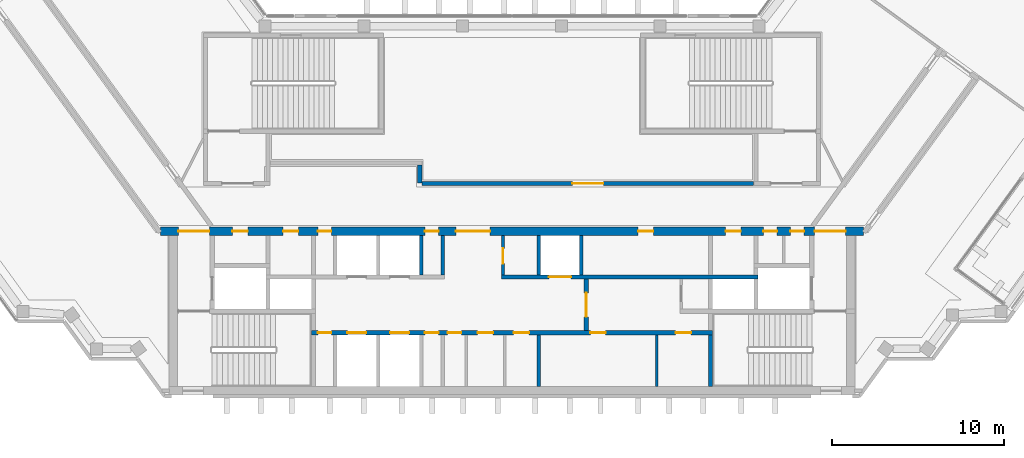
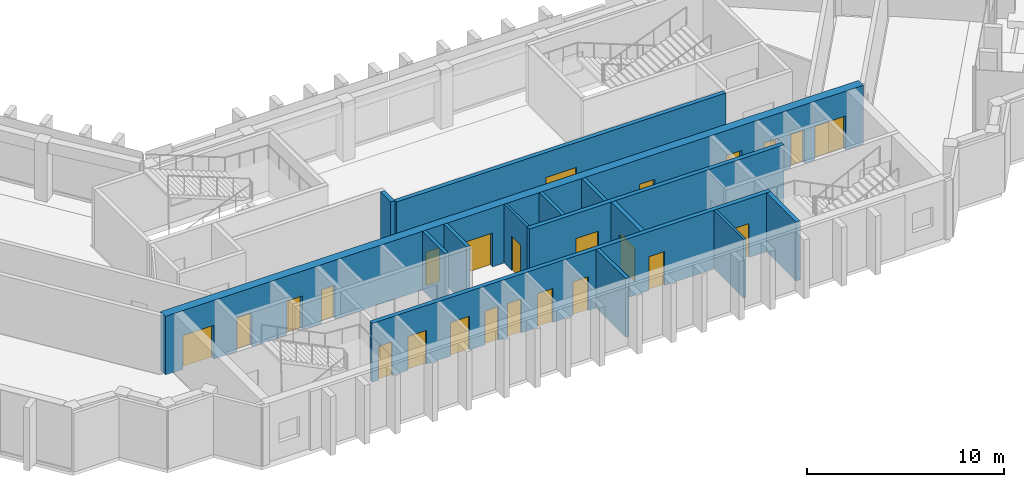
# One storey, part 5 of 9: 24 doors, 14 walls, 24 openings.
"""IFC4 building model written with IfcOpenShell, lengths in metres."""

import ifcopenshell
import ifcopenshell.guid

model = None  # the IFC model being written
_history = None  # IfcOwnerHistory: only IFC2X3 demands one
_inside = {}  # id of a spatial element -> (the spatial element, [elements in it])
_under = {}  # id of a project, library or spatial element -> (it, [spatial elements below it])
_declared = {}  # id of a project -> (the project, [libraries it declares])
_typed = {}  # id of a type object -> (the type object, [elements of that type])
_made_of = {}  # id of a material, layer set ... -> (it, [elements and type objects made of it])


def new_model(schema):
    """Start an empty IFC model of exactly this schema.

    Asked for "IFC4X3", IfcOpenShell would pick the latest addendum, in which some entities
    have other attributes; the version numbers below select the first issue.
    IFC2X3 requires an IfcOwnerHistory on every rooted entity: one is made here for all.
    """
    global model, _history
    if schema == "IFC4X3":
        model = ifcopenshell.file(schema_version=(4, 3, 0, 0))
    else:
        model = ifcopenshell.file(schema=schema)
    _inside.clear()
    _under.clear()
    _declared.clear()
    _typed.clear()
    _made_of.clear()
    _history = None
    if model.schema == "IFC2X3":
        org = make("IfcOrganization", Name="unknown")
        user = make(
            "IfcPersonAndOrganization",
            ThePerson=make("IfcPerson", FamilyName="unknown"),
            TheOrganization=org,
        )
        app = make(
            "IfcApplication",
            ApplicationDeveloper=org,
            Version="unknown",
            ApplicationFullName="unknown",
            ApplicationIdentifier="unknown",
        )
        _history = make(
            "IfcOwnerHistory",
            OwningUser=user,
            OwningApplication=app,
            ChangeAction="ADDED",
            CreationDate=0,
        )
    return model


def make(cls, **values):
    """One entity of the class cls with the attributes given. An attribute that is None is left unset."""
    return model.create_entity(
        cls, **{name: value for name, value in values.items() if value is not None}
    )


def rooted(cls, **values):
    """An entity with a GlobalId (a new one), such as an element, a storey or a relation."""
    return make(cls, GlobalId=ifcopenshell.guid.new(), OwnerHistory=_history, **values)


def si_unit(unit_type, name, prefix=None):
    """IfcSIUnit, for example si_unit("LENGTHUNIT", "METRE", prefix="MILLI")."""
    return make("IfcSIUnit", UnitType=unit_type, Prefix=prefix, Name=name)


def assignment(units):
    """IfcUnitAssignment: the units of a project."""
    return None if units is None else make("IfcUnitAssignment", Units=units)


def point(xyz):
    """IfcCartesianPoint."""
    return None if xyz is None else make("IfcCartesianPoint", Coordinates=xyz)


def direction(xyz):
    """IfcDirection."""
    return None if xyz is None else make("IfcDirection", DirectionRatios=xyz)


def frame(location, z_axis=None, x_axis=None):
    """IfcAxis2Placement3D, a coordinate frame: its origin and axes. An axis left out is left unset."""
    return make(
        "IfcAxis2Placement3D",
        Location=point(location),
        Axis=direction(z_axis),
        RefDirection=direction(x_axis),
    )


def frame_2d(location, x_axis=None):
    """IfcAxis2Placement2D, a coordinate frame in the plane: its origin and x axis."""
    return make(
        "IfcAxis2Placement2D", Location=point(location), RefDirection=direction(x_axis)
    )


def origin():
    """The frame at (0, 0, 0) with its axes left unset."""
    return frame((0.0, 0.0, 0.0))


def place(relative_to, where):
    """IfcLocalPlacement: puts the frame where relative to a parent placement (None: the world)."""
    return make(
        "IfcLocalPlacement", PlacementRelTo=relative_to, RelativePlacement=where
    )


def context(
    kind, dimensions, precision=None, world=None, true_north=None, identifier=None
):
    """IfcGeometricRepresentationContext, for example the 3D "Model" context."""
    return make(
        "IfcGeometricRepresentationContext",
        ContextIdentifier=identifier,
        ContextType=kind,
        CoordinateSpaceDimension=dimensions,
        Precision=precision,
        WorldCoordinateSystem=world,
        TrueNorth=true_north,
    )


def subcontext(parent, identifier, kind, view, scale=None):
    """IfcGeometricRepresentationSubContext, for example "Body" below "Model"."""
    return make(
        "IfcGeometricRepresentationSubContext",
        ContextIdentifier=identifier,
        ContextType=kind,
        ParentContext=parent,
        TargetScale=scale,
        TargetView=view,
    )


def project(units=None, contexts=None):
    """IfcProject with its units and contexts."""
    return rooted(
        "IfcProject",
        Name="project",
        RepresentationContexts=contexts,
        UnitsInContext=assignment(units),
    )


def spatial(cls, under=None, at=None, **own):
    """A site, building, storey or space (cls), placed at a placement, below another one or the project."""
    s = rooted(cls, ObjectPlacement=at, **own)
    if under is not None:
        _under.setdefault(under.id(), (under, []))[1].append(s)
    return s


def profile(cls, at=None, kind="AREA", **sizes):
    """A parametric profile (cls). Its sizes go by their IFC names, for example OverallWidth=200.0."""
    return make(cls, ProfileType=kind, Position=at, **sizes)


def rectangle(**sizes):
    """IfcRectangleProfileDef."""
    return profile("IfcRectangleProfileDef", **sizes)


def extrude(swept, where, along, depth):
    """IfcExtrudedAreaSolid: the profile swept, set in the frame where, extruded along a direction by depth."""
    return make(
        "IfcExtrudedAreaSolid",
        SweptArea=swept,
        Position=where,
        ExtrudedDirection=direction(along),
        Depth=depth,
    )


def shape(context_of_items, identifier, shape_type, items):
    """IfcShapeRepresentation: the items that make up one representation, for example the "Body"."""
    return make(
        "IfcShapeRepresentation",
        ContextOfItems=context_of_items,
        RepresentationIdentifier=identifier,
        RepresentationType=shape_type,
        Items=items,
    )


def material(Name=None, Category=None):
    """IfcMaterial."""
    return make("IfcMaterial", Name=Name, Category=Category)


def layer(
    of_material, thickness, ventilated=None, Name=None, Category=None, Priority=None
):
    """IfcMaterialLayer: one layer of a wall or slab, of a material (None: an air gap)."""
    return make(
        "IfcMaterialLayer",
        Material=of_material,
        LayerThickness=thickness,
        IsVentilated=ventilated,
        Name=Name,
        Category=Category,
        Priority=Priority,
    )


def layer_set(layers, Name=None):
    """IfcMaterialLayerSet."""
    return make("IfcMaterialLayerSet", MaterialLayers=layers, LayerSetName=Name)


def made_of(thing, what):
    """Note that an element or type object is made of a material, layer set ...; save() writes the relation."""
    if what is not None:
        _made_of.setdefault(what.id(), (what, []))[1].append(thing)
    return thing


def type_object(cls, material=None, **own):
    """A type object (cls), such as IfcWallType, which elements share."""
    return made_of(rooted(cls, **own), material)


def element(
    cls,
    number,
    at=None,
    inside=None,
    cuts=None,
    type_object=None,
    material=None,
    context=None,
    identifier="Body",
    shape_type=None,
    held_by="IfcProductDefinitionShape",
    body=None,
    shapes=None,
    **own,
):
    """One element of the class cls, such as IfcWall. Its Tag is "e" and its number.

    at: its placement. inside: the storey or other place that contains it. cuts: it is an
    opening in that element (IfcRelVoidsElement). A single representation is given by context,
    identifier, shape_type and body (its items); several are given by shapes. held_by: the class
    of the entity that holds the representations. save() writes the other relations.
    """
    e = rooted(cls, Tag="e%d" % number, ObjectPlacement=at, **own)
    if body is not None:
        shapes = [shape(context, identifier, shape_type, body)]
    if shapes is not None:
        e.Representation = make(held_by, Representations=shapes)
    if inside is not None:
        _inside.setdefault(inside.id(), (inside, []))[1].append(e)
    if cuts is not None:
        rooted(
            "IfcRelVoidsElement", RelatingBuildingElement=cuts, RelatedOpeningElement=e
        )
    if type_object is not None:
        _typed.setdefault(type_object.id(), (type_object, []))[1].append(e)
    return made_of(e, material)


def fill(opening, filler):
    """IfcRelFillsElement: the door or window that sits in an opening."""
    return rooted(
        "IfcRelFillsElement",
        RelatingOpeningElement=opening,
        RelatedBuildingElement=filler,
    )


def aggregate(whole, parts):
    """IfcRelAggregates: a whole, such as a stair, and the parts it consists of."""
    return rooted("IfcRelAggregates", RelatingObject=whole, RelatedObjects=parts)


def save(model, path):
    """Write the relations noted so far, then the file.

    IfcRelAggregates (storeys below a building ...), IfcRelContainedInSpatialStructure (elements
    in a storey), IfcRelDefinesByType, IfcRelAssociatesMaterial and IfcRelDeclares: one each for
    every whole, place, type object, material and project.
    """
    for whole, parts in _under.values():
        aggregate(whole, parts)
    for where, things in _inside.values():
        rooted(
            "IfcRelContainedInSpatialStructure",
            RelatedElements=things,
            RelatingStructure=where,
        )
    for kind, things in _typed.values():
        rooted("IfcRelDefinesByType", RelatedObjects=things, RelatingType=kind)
    for what, things in _made_of.values():
        rooted("IfcRelAssociatesMaterial", RelatedObjects=things, RelatingMaterial=what)
    for by, libraries in _declared.values():
        rooted("IfcRelDeclares", RelatingContext=by, RelatedDefinitions=libraries)
    model.write(path)


model = new_model("IFC4")

# Units and contexts
model_context = context("Model", 3, precision=1e-05, world=origin(), true_north=direction((0.0, 1.0)))
body_context = subcontext(model_context, "Body", "Model", "MODEL_VIEW")
ifc_project = project(units=[si_unit("LENGTHUNIT", "METRE"), si_unit("AREAUNIT", "SQUARE_METRE"), si_unit("VOLUMEUNIT", "CUBIC_METRE"), si_unit("PLANEANGLEUNIT", "RADIAN"), si_unit("MASSUNIT", "GRAM", prefix="KILO")], contexts=[model_context])

# Site, building, storey
site_placement = place(None, origin())
site = spatial("IfcSite", under=ifc_project, at=site_placement, CompositionType="ELEMENT")
building_placement = place(site_placement, origin())
building = spatial("IfcBuilding", under=site, at=building_placement, Name="Quipu Civic Tower", CompositionType="ELEMENT")
storey_placement = place(building_placement, frame((0.0, 0.0, 315.0)))
storey = spatial("IfcBuildingStorey", under=building, at=storey_placement, Name="L73", CompositionType="ELEMENT", Elevation=315.0)

# Wall
ifc_material_1 = material(Name="Concrete C70/85", Category="concrete")
ifc_layer_1 = layer(ifc_material_1, 0.25)
ifc_layer_set_1 = layer_set([ifc_layer_1], Name="Concrete C70/85")
wall_type_1 = type_object("IfcWallType", Name="Core wall 250", PredefinedType="SHEAR", material=ifc_layer_set_1)
wall_1_placement = place(storey_placement, frame((11.574951171875, -10.5, 0.0), z_axis=(0.0, 0.0, 1.0), x_axis=(0.0, 1.0, 0.0)))
element("IfcWall", 1, at=wall_1_placement, inside=storey, type_object=wall_type_1, Name="Core wall", PredefinedType="SHEAR", context=body_context, shape_type="SweptSolid", body=[
    extrude(rectangle(XDim=3.0, YDim=0.25, at=frame_2d((1.5, 0.0))), origin(), (0.0, 0.0, 1.0), 3.64990234375),
])

# Wall, openings, doors
wall_2_placement = place(storey_placement, frame((11.699951171875, -7.375, 0.0), z_axis=(0.0, 0.0, 1.0), x_axis=(-1.0, 0.0, 0.0)))
wall_2 = element("IfcWall", 2, at=wall_2_placement, inside=storey, type_object=wall_type_1, Name="Core wall", PredefinedType="SHEAR", context=body_context, shape_type="SweptSolid", body=[
    extrude(rectangle(XDim=23.39990234375, YDim=0.25, at=frame_2d((11.699951171875, 0.0))), origin(), (0.0, 0.0, 1.0), 3.64990234375),
])
opening_1_placement = place(wall_2_placement, frame((22.22509765625, 0.0, 0.0)))
opening_1 = element("IfcOpeningElement", 3, at=opening_1_placement, cuts=wall_2, Name="Opening CD-01", PredefinedType="OPENING", context=body_context, shape_type="SweptSolid", body=[
    extrude(rectangle(XDim=0.800048828125, YDim=2.10009765625, at=frame_2d((0.39990234375, 1.050048828125))), frame((0.0, 0.135009765625, 0.0), z_axis=(0.0, -1.0, 0.0), x_axis=(1.0, 0.0, 0.0)), (0.0, 0.0, 1.0), 0.27001953125),
])
opening_2_placement = place(wall_2_placement, frame((20.199951171875, 0.0, 0.0)))
opening_2 = element("IfcOpeningElement", 4, at=opening_2_placement, cuts=wall_2, Name="Opening LD-HL1", PredefinedType="OPENING", context=body_context, shape_type="SweptSolid", body=[
    extrude(rectangle(XDim=1.10009765625, YDim=2.10009765625, at=frame_2d((0.550048828125, 1.050048828125))), frame((0.0, 0.135009765625, 0.0), z_axis=(0.0, -1.0, 0.0), x_axis=(1.0, 0.0, 0.0)), (0.0, 0.0, 1.0), 0.27001953125),
])
opening_3_placement = place(wall_2_placement, frame((17.699951171875, 0.0, 0.0)))
opening_3 = element("IfcOpeningElement", 5, at=opening_3_placement, cuts=wall_2, Name="Opening LD-HL2", PredefinedType="OPENING", context=body_context, shape_type="SweptSolid", body=[
    extrude(rectangle(XDim=1.10009765625, YDim=2.10009765625, at=frame_2d((0.550048828125, 1.050048828125))), frame((0.0, 0.135009765625, 0.0), z_axis=(0.0, -1.0, 0.0), x_axis=(1.0, 0.0, 0.0)), (0.0, 0.0, 1.0), 0.27001953125),
])
opening_4_placement = place(wall_2_placement, frame((15.97509765625, 0.0, 0.0)))
opening_4 = element("IfcOpeningElement", 6, at=opening_4_placement, cuts=wall_2, Name="Opening CD-02", PredefinedType="OPENING", context=body_context, shape_type="SweptSolid", body=[
    extrude(rectangle(XDim=0.800048828125, YDim=2.10009765625, at=frame_2d((0.39990234375, 1.050048828125))), frame((0.0, 0.135009765625, 0.0), z_axis=(0.0, -1.0, 0.0), x_axis=(1.0, 0.0, 0.0)), (0.0, 0.0, 1.0), 0.27001953125),
])
opening_5_placement = place(wall_2_placement, frame((14.64990234375, 0.0, 0.0)))
opening_5 = element("IfcOpeningElement", 7, at=opening_5_placement, cuts=wall_2, Name="Opening CD-03", PredefinedType="OPENING", context=body_context, shape_type="SweptSolid", body=[
    extrude(rectangle(XDim=0.800048828125, YDim=2.10009765625, at=frame_2d((0.39990234375, 1.050048828125))), frame((0.0, 0.135009765625, 0.0), z_axis=(0.0, -1.0, 0.0), x_axis=(1.0, 0.0, 0.0)), (0.0, 0.0, 1.0), 0.27001953125),
])
opening_6_placement = place(wall_2_placement, frame((12.800048828125, 0.0, 0.0)))
opening_6 = element("IfcOpeningElement", 8, at=opening_6_placement, cuts=wall_2, Name="Opening CD-04", PredefinedType="OPENING", context=body_context, shape_type="SweptSolid", body=[
    extrude(rectangle(XDim=0.89990234375, YDim=2.10009765625, at=frame_2d((0.449951171875, 1.050048828125))), frame((0.0, 0.135009765625, 0.0), z_axis=(0.0, -1.0, 0.0), x_axis=(1.0, 0.0, 0.0)), (0.0, 0.0, 1.0), 0.27001953125),
])
opening_7_placement = place(wall_2_placement, frame((10.699951171875, 0.0, 0.0)))
opening_7 = element("IfcOpeningElement", 9, at=opening_7_placement, cuts=wall_2, Name="Opening CD-05", PredefinedType="OPENING", context=body_context, shape_type="SweptSolid", body=[
    extrude(rectangle(XDim=0.89990234375, YDim=2.10009765625, at=frame_2d((0.449951171875, 1.050048828125))), frame((0.0, 0.135009765625, 0.0), z_axis=(0.0, -1.0, 0.0), x_axis=(1.0, 0.0, 0.0)), (0.0, 0.0, 1.0), 0.27001953125),
])
opening_8_placement = place(wall_2_placement, frame((6.237060546875, 0.0, 0.0)))
opening_8 = element("IfcOpeningElement", 10, at=opening_8_placement, cuts=wall_2, Name="Opening CD-06", PredefinedType="OPENING", context=body_context, shape_type="SweptSolid", body=[
    extrude(rectangle(XDim=0.89990234375, YDim=2.10009765625, at=frame_2d((0.449951171875, 1.050048828125))), frame((0.0, 0.135009765625, 0.0), z_axis=(0.0, -1.0, 0.0), x_axis=(1.0, 0.0, 0.0)), (0.0, 0.0, 1.0), 0.27001953125),
])
opening_9_placement = place(wall_2_placement, frame((1.262939453125, 0.0, 0.0)))
opening_9 = element("IfcOpeningElement", 11, at=opening_9_placement, cuts=wall_2, Name="Opening CD-07", PredefinedType="OPENING", context=body_context, shape_type="SweptSolid", body=[
    extrude(rectangle(XDim=0.89990234375, YDim=2.10009765625, at=frame_2d((0.449951171875, 1.050048828125))), frame((0.0, 0.135009765625, 0.0), z_axis=(0.0, -1.0, 0.0), x_axis=(1.0, 0.0, 0.0)), (0.0, 0.0, 1.0), 0.27001953125),
])
ifc_material_2 = material(Name="Fire rated steel door", Category="steel")
door_type_1 = type_object("IfcDoorType", Name="Fire door FD60 800 x 2100", OperationType="NOTDEFINED", PredefinedType="DOOR", material=ifc_material_2)
door_1_placement = place(opening_1_placement, origin())
door_1 = element("IfcDoor", 12, at=door_1_placement, inside=storey, type_object=door_type_1, Name="Door", OperationType="SINGLE_SWING_RIGHT", OverallHeight=2.10009765625, OverallWidth=0.800048828125, PredefinedType="DOOR", context=body_context, shape_type="SweptSolid", body=[
    extrude(rectangle(XDim=0.800048828125, YDim=2.10009765625, at=frame_2d((0.39990234375, 1.050048828125))), frame((0.0, 0.02490234375, 0.0), z_axis=(0.0, -1.0, 0.0), x_axis=(1.0, 0.0, 0.0)), (0.0, 0.0, 1.0), 0.050048828125),
])
fill(opening_1, door_1)
door_2_placement = place(opening_4_placement, origin())
door_2 = element("IfcDoor", 13, at=door_2_placement, inside=storey, type_object=door_type_1, Name="Door", OperationType="SINGLE_SWING_RIGHT", OverallHeight=2.10009765625, OverallWidth=0.800048828125, PredefinedType="DOOR", context=body_context, shape_type="SweptSolid", body=[
    extrude(rectangle(XDim=0.800048828125, YDim=2.10009765625, at=frame_2d((0.39990234375, 1.050048828125))), frame((0.0, 0.02490234375, 0.0), z_axis=(0.0, -1.0, 0.0), x_axis=(1.0, 0.0, 0.0)), (0.0, 0.0, 1.0), 0.050048828125),
])
fill(opening_4, door_2)
door_3_placement = place(opening_5_placement, origin())
door_3 = element("IfcDoor", 14, at=door_3_placement, inside=storey, type_object=door_type_1, Name="Door", OperationType="SINGLE_SWING_RIGHT", OverallHeight=2.10009765625, OverallWidth=0.800048828125, PredefinedType="DOOR", context=body_context, shape_type="SweptSolid", body=[
    extrude(rectangle(XDim=0.800048828125, YDim=2.10009765625, at=frame_2d((0.39990234375, 1.050048828125))), frame((0.0, 0.02490234375, 0.0), z_axis=(0.0, -1.0, 0.0), x_axis=(1.0, 0.0, 0.0)), (0.0, 0.0, 1.0), 0.050048828125),
])
fill(opening_5, door_3)
ifc_material_3 = material(Name="Fire rated steel door", Category="steel")
door_type_2 = type_object("IfcDoorType", Name="Fire door FD60 900 x 2100", OperationType="NOTDEFINED", PredefinedType="DOOR", material=ifc_material_3)
door_4_placement = place(opening_6_placement, origin())
door_4 = element("IfcDoor", 15, at=door_4_placement, inside=storey, type_object=door_type_2, Name="WC door", OperationType="SINGLE_SWING_RIGHT", OverallHeight=2.10009765625, OverallWidth=0.89990234375, PredefinedType="DOOR", context=body_context, shape_type="SweptSolid", body=[
    extrude(rectangle(XDim=0.89990234375, YDim=2.10009765625, at=frame_2d((0.449951171875, 1.050048828125))), frame((0.0, 0.02490234375, 0.0), z_axis=(0.0, -1.0, 0.0), x_axis=(1.0, 0.0, 0.0)), (0.0, 0.0, 1.0), 0.050048828125),
])
fill(opening_6, door_4)
door_5_placement = place(opening_7_placement, origin())
door_5 = element("IfcDoor", 16, at=door_5_placement, inside=storey, type_object=door_type_2, Name="WC door", OperationType="SINGLE_SWING_LEFT", OverallHeight=2.10009765625, OverallWidth=0.89990234375, PredefinedType="DOOR", context=body_context, shape_type="SweptSolid", body=[
    extrude(rectangle(XDim=0.89990234375, YDim=2.10009765625, at=frame_2d((0.449951171875, 1.050048828125))), frame((0.0, 0.02490234375, 0.0), z_axis=(0.0, -1.0, 0.0), x_axis=(1.0, 0.0, 0.0)), (0.0, 0.0, 1.0), 0.050048828125),
])
fill(opening_7, door_5)
door_6_placement = place(opening_8_placement, origin())
door_6 = element("IfcDoor", 17, at=door_6_placement, inside=storey, type_object=door_type_2, Name="Door", OperationType="SINGLE_SWING_LEFT", OverallHeight=2.10009765625, OverallWidth=0.89990234375, PredefinedType="DOOR", context=body_context, shape_type="SweptSolid", body=[
    extrude(rectangle(XDim=0.89990234375, YDim=2.10009765625, at=frame_2d((0.449951171875, 1.050048828125))), frame((0.0, 0.02490234375, 0.0), z_axis=(0.0, -1.0, 0.0), x_axis=(1.0, 0.0, 0.0)), (0.0, 0.0, 1.0), 0.050048828125),
])
fill(opening_8, door_6)
door_7_placement = place(opening_9_placement, origin())
door_7 = element("IfcDoor", 18, at=door_7_placement, inside=storey, type_object=door_type_2, Name="Door", OperationType="SINGLE_SWING_LEFT", OverallHeight=2.10009765625, OverallWidth=0.89990234375, PredefinedType="DOOR", context=body_context, shape_type="SweptSolid", body=[
    extrude(rectangle(XDim=0.89990234375, YDim=2.10009765625, at=frame_2d((0.449951171875, 1.050048828125))), frame((0.0, 0.02490234375, 0.0), z_axis=(0.0, -1.0, 0.0), x_axis=(1.0, 0.0, 0.0)), (0.0, 0.0, 1.0), 0.050048828125),
])
fill(opening_9, door_7)
ifc_material_4 = material(Name="Stainless steel", Category="steel")
door_type_3 = type_object("IfcDoorType", Name="Lift landing door 1100 x 2100", OperationType="DOUBLE_DOOR_SLIDING", PredefinedType="DOOR", material=ifc_material_4)
door_8_placement = place(opening_2_placement, origin())
door_8 = element("IfcDoor", 19, at=door_8_placement, inside=storey, type_object=door_type_3, Name="Landing door HL1", OperationType="DOUBLE_DOOR_SLIDING", OverallHeight=2.10009765625, OverallWidth=1.10009765625, PredefinedType="DOOR", context=body_context, shape_type="SweptSolid", body=[
    extrude(rectangle(XDim=1.10009765625, YDim=2.10009765625, at=frame_2d((0.550048828125, 1.050048828125))), frame((0.0, 0.02490234375, 0.0), z_axis=(0.0, -1.0, 0.0), x_axis=(1.0, 0.0, 0.0)), (0.0, 0.0, 1.0), 0.050048828125),
])
fill(opening_2, door_8)
door_9_placement = place(opening_3_placement, origin())
door_9 = element("IfcDoor", 20, at=door_9_placement, inside=storey, type_object=door_type_3, Name="Landing door HL2", OperationType="DOUBLE_DOOR_SLIDING", OverallHeight=2.10009765625, OverallWidth=1.10009765625, PredefinedType="DOOR", context=body_context, shape_type="SweptSolid", body=[
    extrude(rectangle(XDim=1.10009765625, YDim=2.10009765625, at=frame_2d((0.550048828125, 1.050048828125))), frame((0.0, 0.02490234375, 0.0), z_axis=(0.0, -1.0, 0.0), x_axis=(1.0, 0.0, 0.0)), (0.0, 0.0, 1.0), 0.050048828125),
])
fill(opening_3, door_9)

# Wall, opening, door
wall_3_placement = place(storey_placement, frame((4.324951171875, -7.25, 0.0), z_axis=(0.0, 0.0, 1.0), x_axis=(0.0, 1.0, 0.0)))
wall_3 = element("IfcWall", 21, at=wall_3_placement, inside=storey, type_object=wall_type_1, Name="Core wall", PredefinedType="SHEAR", context=body_context, shape_type="SweptSolid", body=[
    extrude(rectangle(XDim=3.0, YDim=0.25, at=frame_2d((1.5, 0.0))), origin(), (0.0, 0.0, 1.0), 3.64990234375),
])
opening_10_placement = place(wall_3_placement, frame((0.800048828125, 0.0, 0.0)))
opening_10 = element("IfcOpeningElement", 22, at=opening_10_placement, cuts=wall_3, Name="Opening CD-10", PredefinedType="OPENING", context=body_context, shape_type="SweptSolid", body=[
    extrude(rectangle(XDim=1.39990234375, YDim=2.10009765625, at=frame_2d((0.699951171875, 1.050048828125))), frame((0.0, 0.135009765625, 0.0), z_axis=(0.0, -1.0, 0.0), x_axis=(1.0, 0.0, 0.0)), (0.0, 0.0, 1.0), 0.27001953125),
])
ifc_material_5 = material(Name="Fire rated steel door", Category="steel")
door_type_4 = type_object("IfcDoorType", Name="Fire door FD60 double 1400 x 2100", OperationType="NOTDEFINED", PredefinedType="DOOR", material=ifc_material_5)
door_10_placement = place(opening_10_placement, origin())
door_10 = element("IfcDoor", 23, at=door_10_placement, inside=storey, type_object=door_type_4, Name="Hall door", OperationType="DOUBLE_DOOR_SINGLE_SWING", OverallHeight=2.10009765625, OverallWidth=1.39990234375, PredefinedType="DOOR", context=body_context, shape_type="SweptSolid", body=[
    extrude(rectangle(XDim=1.39990234375, YDim=2.10009765625, at=frame_2d((0.699951171875, 1.050048828125))), frame((0.0, 0.02490234375, 0.0), z_axis=(0.0, -1.0, 0.0), x_axis=(1.0, 0.0, 0.0)), (0.0, 0.0, 1.0), 0.050048828125),
])
fill(opening_10, door_10)

wall_4_placement = place(storey_placement, frame((-0.60009765625, -4.125, 0.0), z_axis=(0.0, 0.0, 1.0), x_axis=(1.0, 0.0, 0.0)))
wall_4 = element("IfcWall", 24, at=wall_4_placement, inside=storey, type_object=wall_type_1, Name="Core wall", PredefinedType="SHEAR", context=body_context, shape_type="SweptSolid", body=[
    extrude(rectangle(XDim=14.9501953125, YDim=0.25, at=frame_2d((7.47509765625, 0.0))), origin(), (0.0, 0.0, 1.0), 3.64990234375),
])
opening_11_placement = place(wall_4_placement, frame((2.75, 0.0, 0.0)))
opening_11 = element("IfcOpeningElement", 25, at=opening_11_placement, cuts=wall_4, Name="Opening LD-FF3", PredefinedType="OPENING", context=body_context, shape_type="SweptSolid", body=[
    extrude(rectangle(XDim=1.300048828125, YDim=2.10009765625, at=frame_2d((0.64990234375, 1.050048828125))), frame((0.0, 0.135009765625, 0.0), z_axis=(0.0, -1.0, 0.0), x_axis=(1.0, 0.0, 0.0)), (0.0, 0.0, 1.0), 0.27001953125),
])
ifc_material_6 = material(Name="Stainless steel", Category="steel")
door_type_5 = type_object("IfcDoorType", Name="Lift landing door 1300 x 2100", OperationType="DOUBLE_DOOR_SLIDING", PredefinedType="DOOR", material=ifc_material_6)
door_11_placement = place(opening_11_placement, origin())
door_11 = element("IfcDoor", 26, at=door_11_placement, inside=storey, type_object=door_type_5, Name="Landing door FF3", OperationType="DOUBLE_DOOR_SLIDING", OverallHeight=2.10009765625, OverallWidth=1.300048828125, PredefinedType="DOOR", context=body_context, shape_type="SweptSolid", body=[
    extrude(rectangle(XDim=1.300048828125, YDim=2.10009765625, at=frame_2d((0.64990234375, 1.050048828125))), frame((0.0, 0.02490234375, 0.0), z_axis=(0.0, -1.0, 0.0), x_axis=(1.0, 0.0, 0.0)), (0.0, 0.0, 1.0), 0.050048828125),
])
fill(opening_11, door_11)

# Wall, openings, doors
ifc_material_7 = material(Name="Concrete C70/85", Category="concrete")
ifc_layer_2 = layer(ifc_material_7, 0.5)
ifc_layer_set_2 = layer_set([ifc_layer_2], Name="Concrete C70/85")
wall_type_2 = type_object("IfcWallType", Name="Core wall 500", PredefinedType="SHEAR", material=ifc_layer_set_2)
wall_5_placement = place(storey_placement, frame((20.489990234375, -1.449951171875, 0.0), z_axis=(0.0, 0.0, 1.0), x_axis=(-1.0, 0.0, 0.0)))
wall_5 = element("IfcWall", 27, at=wall_5_placement, inside=storey, type_object=wall_type_2, Name="Core wall", PredefinedType="SHEAR", context=body_context, shape_type="SweptSolid", body=[
    extrude(rectangle(XDim=40.97998046875, YDim=0.5, at=frame_2d((20.489990234375, 0.0))), origin(), (0.0, 0.0, 1.0), 3.64990234375),
])
opening_12_placement = place(wall_5_placement, frame((38.139892578125, 0.0, 0.0)))
opening_12 = element("IfcOpeningElement", 28, at=opening_12_placement, cuts=wall_5, Name="Opening CD-13", PredefinedType="OPENING", context=body_context, shape_type="SweptSolid", body=[
    extrude(rectangle(XDim=1.800048828125, YDim=2.10009765625, at=frame_2d((0.89990234375, 1.050048828125))), frame((0.0, 0.260009765625, 0.0), z_axis=(0.0, -1.0, 0.0), x_axis=(1.0, 0.0, 0.0)), (0.0, 0.0, 1.0), 0.52001953125),
])
opening_13_placement = place(wall_5_placement, frame((35.889892578125, 0.0, 0.0)))
opening_13 = element("IfcOpeningElement", 29, at=opening_13_placement, cuts=wall_5, Name="Opening CD-14", PredefinedType="OPENING", context=body_context, shape_type="SweptSolid", body=[
    extrude(rectangle(XDim=0.89990234375, YDim=2.10009765625, at=frame_2d((0.449951171875, 1.050048828125))), frame((0.0, 0.260009765625, 0.0), z_axis=(0.0, -1.0, 0.0), x_axis=(1.0, 0.0, 0.0)), (0.0, 0.0, 1.0), 0.52001953125),
])
opening_14_placement = place(wall_5_placement, frame((32.93994140625, 0.0, 0.0)))
opening_14 = element("IfcOpeningElement", 30, at=opening_14_placement, cuts=wall_5, Name="Opening CD-15", PredefinedType="OPENING", context=body_context, shape_type="SweptSolid", body=[
    extrude(rectangle(XDim=0.89990234375, YDim=2.10009765625, at=frame_2d((0.449951171875, 1.050048828125))), frame((0.0, 0.260009765625, 0.0), z_axis=(0.0, -1.0, 0.0), x_axis=(1.0, 0.0, 0.0)), (0.0, 0.0, 1.0), 0.52001953125),
])
opening_15_placement = place(wall_5_placement, frame((31.014892578125, 0.0, 0.0)))
opening_15 = element("IfcOpeningElement", 31, at=opening_15_placement, cuts=wall_5, Name="Opening CD-16", PredefinedType="OPENING", context=body_context, shape_type="SweptSolid", body=[
    extrude(rectangle(XDim=0.800048828125, YDim=2.10009765625, at=frame_2d((0.39990234375, 1.050048828125))), frame((0.0, 0.260009765625, 0.0), z_axis=(0.0, -1.0, 0.0), x_axis=(1.0, 0.0, 0.0)), (0.0, 0.0, 1.0), 0.52001953125),
])
opening_16_placement = place(wall_5_placement, frame((24.764892578125, 0.0, 0.0)))
opening_16 = element("IfcOpeningElement", 32, at=opening_16_placement, cuts=wall_5, Name="Opening CD-17", PredefinedType="OPENING", context=body_context, shape_type="SweptSolid", body=[
    extrude(rectangle(XDim=0.800048828125, YDim=2.10009765625, at=frame_2d((0.39990234375, 1.050048828125))), frame((0.0, 0.260009765625, 0.0), z_axis=(0.0, -1.0, 0.0), x_axis=(1.0, 0.0, 0.0)), (0.0, 0.0, 1.0), 0.52001953125),
])
opening_17_placement = place(wall_5_placement, frame((21.764892578125, 0.0, 0.0)))
opening_17 = element("IfcOpeningElement", 33, at=opening_17_placement, cuts=wall_5, Name="Opening CD-18", PredefinedType="OPENING", context=body_context, shape_type="SweptSolid", body=[
    extrude(rectangle(XDim=2.0, YDim=2.10009765625, at=frame_2d((1.0, 1.050048828125))), frame((0.0, 0.260009765625, 0.0), z_axis=(0.0, -1.0, 0.0), x_axis=(1.0, 0.0, 0.0)), (0.0, 0.0, 1.0), 0.52001953125),
])
opening_18_placement = place(wall_5_placement, frame((12.239990234375, 0.0, 0.0)))
opening_18 = element("IfcOpeningElement", 34, at=opening_18_placement, cuts=wall_5, Name="Opening CD-19", PredefinedType="OPENING", context=body_context, shape_type="SweptSolid", body=[
    extrude(rectangle(XDim=0.89990234375, YDim=2.10009765625, at=frame_2d((0.449951171875, 1.050048828125))), frame((0.0, 0.260009765625, 0.0), z_axis=(0.0, -1.0, 0.0), x_axis=(1.0, 0.0, 0.0)), (0.0, 0.0, 1.0), 0.52001953125),
])
opening_19_placement = place(wall_5_placement, frame((7.139892578125, 0.0, 0.0)))
opening_19 = element("IfcOpeningElement", 35, at=opening_19_placement, cuts=wall_5, Name="Opening CD-20", PredefinedType="OPENING", context=body_context, shape_type="SweptSolid", body=[
    extrude(rectangle(XDim=0.89990234375, YDim=2.10009765625, at=frame_2d((0.449951171875, 1.050048828125))), frame((0.0, 0.260009765625, 0.0), z_axis=(0.0, -1.0, 0.0), x_axis=(1.0, 0.0, 0.0)), (0.0, 0.0, 1.0), 0.52001953125),
])
opening_20_placement = place(wall_5_placement, frame((5.027587890625, 0.0, 0.0)))
opening_20 = element("IfcOpeningElement", 36, at=opening_20_placement, cuts=wall_5, Name="Opening CD-21", PredefinedType="OPENING", context=body_context, shape_type="SweptSolid", body=[
    extrude(rectangle(XDim=0.800048828125, YDim=2.10009765625, at=frame_2d((0.39990234375, 1.050048828125))), frame((0.0, 0.260009765625, 0.0), z_axis=(0.0, -1.0, 0.0), x_axis=(1.0, 0.0, 0.0)), (0.0, 0.0, 1.0), 0.52001953125),
])
opening_21_placement = place(wall_5_placement, frame((3.452392578125, 0.0, 0.0)))
opening_21 = element("IfcOpeningElement", 37, at=opening_21_placement, cuts=wall_5, Name="Opening CD-22", PredefinedType="OPENING", context=body_context, shape_type="SweptSolid", body=[
    extrude(rectangle(XDim=0.800048828125, YDim=2.10009765625, at=frame_2d((0.39990234375, 1.050048828125))), frame((0.0, 0.260009765625, 0.0), z_axis=(0.0, -1.0, 0.0), x_axis=(1.0, 0.0, 0.0)), (0.0, 0.0, 1.0), 0.52001953125),
])
opening_22_placement = place(wall_5_placement, frame((1.0400390625, 0.0, 0.0)))
opening_22 = element("IfcOpeningElement", 38, at=opening_22_placement, cuts=wall_5, Name="Opening CD-23", PredefinedType="OPENING", context=body_context, shape_type="SweptSolid", body=[
    extrude(rectangle(XDim=1.800048828125, YDim=2.10009765625, at=frame_2d((0.89990234375, 1.050048828125))), frame((0.0, 0.260009765625, 0.0), z_axis=(0.0, -1.0, 0.0), x_axis=(1.0, 0.0, 0.0)), (0.0, 0.0, 1.0), 0.52001953125),
])
door_12_placement = place(opening_15_placement, origin())
door_12 = element("IfcDoor", 39, at=door_12_placement, inside=storey, type_object=door_type_1, Name="Door", OperationType="SINGLE_SWING_RIGHT", OverallHeight=2.10009765625, OverallWidth=0.800048828125, PredefinedType="DOOR", context=body_context, shape_type="SweptSolid", body=[
    extrude(rectangle(XDim=0.800048828125, YDim=2.10009765625, at=frame_2d((0.39990234375, 1.050048828125))), frame((0.0, 0.02490234375, 0.0), z_axis=(0.0, -1.0, 0.0), x_axis=(1.0, 0.0, 0.0)), (0.0, 0.0, 1.0), 0.050048828125),
])
fill(opening_15, door_12)
door_13_placement = place(opening_16_placement, origin())
door_13 = element("IfcDoor", 40, at=door_13_placement, inside=storey, type_object=door_type_1, Name="Door", OperationType="SINGLE_SWING_RIGHT", OverallHeight=2.10009765625, OverallWidth=0.800048828125, PredefinedType="DOOR", context=body_context, shape_type="SweptSolid", body=[
    extrude(rectangle(XDim=0.800048828125, YDim=2.10009765625, at=frame_2d((0.39990234375, 1.050048828125))), frame((0.0, 0.02490234375, 0.0), z_axis=(0.0, -1.0, 0.0), x_axis=(1.0, 0.0, 0.0)), (0.0, 0.0, 1.0), 0.050048828125),
])
fill(opening_16, door_13)
door_14_placement = place(opening_20_placement, origin())
door_14 = element("IfcDoor", 41, at=door_14_placement, inside=storey, type_object=door_type_1, Name="Door", OperationType="SINGLE_SWING_LEFT", OverallHeight=2.10009765625, OverallWidth=0.800048828125, PredefinedType="DOOR", context=body_context, shape_type="SweptSolid", body=[
    extrude(rectangle(XDim=0.800048828125, YDim=2.10009765625, at=frame_2d((0.39990234375, 1.050048828125))), frame((0.0, 0.02490234375, 0.0), z_axis=(0.0, -1.0, 0.0), x_axis=(1.0, 0.0, 0.0)), (0.0, 0.0, 1.0), 0.050048828125),
])
fill(opening_20, door_14)
door_15_placement = place(opening_21_placement, origin())
door_15 = element("IfcDoor", 42, at=door_15_placement, inside=storey, type_object=door_type_1, Name="Door", OperationType="SINGLE_SWING_LEFT", OverallHeight=2.10009765625, OverallWidth=0.800048828125, PredefinedType="DOOR", context=body_context, shape_type="SweptSolid", body=[
    extrude(rectangle(XDim=0.800048828125, YDim=2.10009765625, at=frame_2d((0.39990234375, 1.050048828125))), frame((0.0, 0.02490234375, 0.0), z_axis=(0.0, -1.0, 0.0), x_axis=(1.0, 0.0, 0.0)), (0.0, 0.0, 1.0), 0.050048828125),
])
fill(opening_21, door_15)
door_16_placement = place(opening_13_placement, origin())
door_16 = element("IfcDoor", 43, at=door_16_placement, inside=storey, type_object=door_type_2, Name="Door", OperationType="SINGLE_SWING_RIGHT", OverallHeight=2.10009765625, OverallWidth=0.89990234375, PredefinedType="DOOR", context=body_context, shape_type="SweptSolid", body=[
    extrude(rectangle(XDim=0.89990234375, YDim=2.10009765625, at=frame_2d((0.449951171875, 1.050048828125))), frame((0.0, 0.02490234375, 0.0), z_axis=(0.0, -1.0, 0.0), x_axis=(1.0, 0.0, 0.0)), (0.0, 0.0, 1.0), 0.050048828125),
])
fill(opening_13, door_16)
door_17_placement = place(opening_14_placement, origin())
door_17 = element("IfcDoor", 44, at=door_17_placement, inside=storey, type_object=door_type_2, Name="Riser door", OperationType="SINGLE_SWING_RIGHT", OverallHeight=2.10009765625, OverallWidth=0.89990234375, PredefinedType="DOOR", context=body_context, shape_type="SweptSolid", body=[
    extrude(rectangle(XDim=0.89990234375, YDim=2.10009765625, at=frame_2d((0.449951171875, 1.050048828125))), frame((0.0, 0.02490234375, 0.0), z_axis=(0.0, -1.0, 0.0), x_axis=(1.0, 0.0, 0.0)), (0.0, 0.0, 1.0), 0.050048828125),
])
fill(opening_14, door_17)
door_18_placement = place(opening_18_placement, origin())
door_18 = element("IfcDoor", 45, at=door_18_placement, inside=storey, type_object=door_type_2, Name="Door", OperationType="SINGLE_SWING_LEFT", OverallHeight=2.10009765625, OverallWidth=0.89990234375, PredefinedType="DOOR", context=body_context, shape_type="SweptSolid", body=[
    extrude(rectangle(XDim=0.89990234375, YDim=2.10009765625, at=frame_2d((0.449951171875, 1.050048828125))), frame((0.0, 0.02490234375, 0.0), z_axis=(0.0, -1.0, 0.0), x_axis=(1.0, 0.0, 0.0)), (0.0, 0.0, 1.0), 0.050048828125),
])
fill(opening_18, door_18)
door_19_placement = place(opening_19_placement, origin())
door_19 = element("IfcDoor", 46, at=door_19_placement, inside=storey, type_object=door_type_2, Name="Riser door", OperationType="SINGLE_SWING_LEFT", OverallHeight=2.10009765625, OverallWidth=0.89990234375, PredefinedType="DOOR", context=body_context, shape_type="SweptSolid", body=[
    extrude(rectangle(XDim=0.89990234375, YDim=2.10009765625, at=frame_2d((0.449951171875, 1.050048828125))), frame((0.0, 0.02490234375, 0.0), z_axis=(0.0, -1.0, 0.0), x_axis=(1.0, 0.0, 0.0)), (0.0, 0.0, 1.0), 0.050048828125),
])
fill(opening_19, door_19)
ifc_material_8 = material(Name="Fire rated steel door", Category="steel")
door_type_6 = type_object("IfcDoorType", Name="Fire door FD90 double 1800 x 2100", OperationType="NOTDEFINED", PredefinedType="DOOR", material=ifc_material_8)
door_20_placement = place(opening_12_placement, origin())
door_20 = element("IfcDoor", 47, at=door_20_placement, inside=storey, type_object=door_type_6, Name="Lobby door", OperationType="DOUBLE_DOOR_SINGLE_SWING", OverallHeight=2.10009765625, OverallWidth=1.800048828125, PredefinedType="DOOR", context=body_context, shape_type="SweptSolid", body=[
    extrude(rectangle(XDim=1.800048828125, YDim=2.10009765625, at=frame_2d((0.89990234375, 1.050048828125))), frame((0.0, 0.02490234375, 0.0), z_axis=(0.0, -1.0, 0.0), x_axis=(1.0, 0.0, 0.0)), (0.0, 0.0, 1.0), 0.050048828125),
])
fill(opening_12, door_20)
door_21_placement = place(opening_22_placement, origin())
door_21 = element("IfcDoor", 48, at=door_21_placement, inside=storey, type_object=door_type_6, Name="Lobby door", OperationType="DOUBLE_DOOR_SINGLE_SWING", OverallHeight=2.10009765625, OverallWidth=1.800048828125, PredefinedType="DOOR", context=body_context, shape_type="SweptSolid", body=[
    extrude(rectangle(XDim=1.800048828125, YDim=2.10009765625, at=frame_2d((0.89990234375, 1.050048828125))), frame((0.0, 0.02490234375, 0.0), z_axis=(0.0, -1.0, 0.0), x_axis=(1.0, 0.0, 0.0)), (0.0, 0.0, 1.0), 0.050048828125),
])
fill(opening_22, door_21)
ifc_material_9 = material(Name="Fire rated steel door", Category="steel")
door_type_7 = type_object("IfcDoorType", Name="Fire door FD90 double 2000 x 2100", OperationType="NOTDEFINED", PredefinedType="DOOR", material=ifc_material_9)
door_22_placement = place(opening_17_placement, origin())
door_22 = element("IfcDoor", 49, at=door_22_placement, inside=storey, type_object=door_type_7, Name="Lobby door", OperationType="DOUBLE_DOOR_SINGLE_SWING", OverallHeight=2.10009765625, OverallWidth=2.0, PredefinedType="DOOR", context=body_context, shape_type="SweptSolid", body=[
    extrude(rectangle(XDim=2.0, YDim=2.10009765625, at=frame_2d((1.0, 1.050048828125))), frame((0.0, 0.02490234375, 0.0), z_axis=(0.0, -1.0, 0.0), x_axis=(1.0, 0.0, 0.0)), (0.0, 0.0, 1.0), 0.050048828125),
])
fill(opening_17, door_22)

# Wall
ifc_material_10 = material(Name="Concrete C50/60", Category="concrete")
ifc_layer_3 = layer(ifc_material_10, 0.25)
ifc_layer_set_3 = layer_set([ifc_layer_3], Name="Concrete C50/60")
wall_type_3 = type_object("IfcWallType", Name="Corridor wall 250 concrete", PredefinedType="SOLIDWALL", material=ifc_layer_set_3)
wall_6_placement = place(storey_placement, frame((-5.375, 2.39990234375, 0.0), z_axis=(0.0, 0.0, 1.0), x_axis=(0.0, -1.0, 0.0)))
element("IfcWall", 50, at=wall_6_placement, inside=storey, type_object=wall_type_3, Name="Corridor wall C08", PredefinedType="SOLIDWALL", context=body_context, shape_type="SweptSolid", body=[
    extrude(rectangle(XDim=1.041259765625, YDim=0.25, at=frame_2d((0.5205078125, 0.0))), origin(), (0.0, 0.0, 1.0), 3.64990234375),
])

# Wall, opening, door
wall_7_placement = place(storey_placement, frame((-5.246337890625, 1.324951171875, 0.0), z_axis=(0.0, 0.0, 1.0), x_axis=(1.0, 0.0, 0.0)))
wall_7 = element("IfcWall", 51, at=wall_7_placement, inside=storey, type_object=wall_type_3, Name="Corridor wall C09", PredefinedType="SOLIDWALL", context=body_context, shape_type="SweptSolid", body=[
    extrude(rectangle(XDim=19.33642578125, YDim=0.25, at=frame_2d((9.668212890625, 0.0))), origin(), (0.0, 0.0, 1.0), 3.64990234375),
])
opening_23_placement = place(wall_7_placement, frame((8.771240234375, 0.0, 0.0)))
opening_23 = element("IfcOpeningElement", 52, at=opening_23_placement, cuts=wall_7, Name="Opening D004", PredefinedType="OPENING", context=body_context, shape_type="SweptSolid", body=[
    extrude(rectangle(XDim=1.800048828125, YDim=2.10009765625, at=frame_2d((0.89990234375, 1.050048828125))), frame((0.0, 0.135009765625, 0.0), z_axis=(0.0, -1.0, 0.0), x_axis=(1.0, 0.0, 0.0)), (0.0, 0.0, 1.0), 0.27001953125),
])
ifc_material_11 = material(Name="Fire rated timber door set with metal frame", Category="wood")
door_type_8 = type_object("IfcDoorType", Name="Double door 1800 x 2100 FD60", OperationType="DOUBLE_DOOR_SINGLE_SWING", PredefinedType="DOOR", material=ifc_material_11)
door_23_placement = place(opening_23_placement, origin())
door_23 = element("IfcDoor", 53, at=door_23_placement, inside=storey, type_object=door_type_8, Name="Door D004", OperationType="DOUBLE_DOOR_SINGLE_SWING", OverallHeight=2.10009765625, OverallWidth=1.800048828125, PredefinedType="DOOR", context=body_context, shape_type="SweptSolid", body=[
    extrude(rectangle(XDim=1.800048828125, YDim=2.10009765625, at=frame_2d((0.89990234375, 1.050048828125))), frame((0.0, 0.02490234375, 0.0), z_axis=(0.0, -1.0, 0.0), x_axis=(1.0, 0.0, 0.0)), (0.0, 0.0, 1.0), 0.050048828125),
])
fill(opening_23, door_23)

# Wall
ifc_material_12 = material(Name="Gypsum board partition")
ifc_layer_4 = layer(ifc_material_12, 0.14990234375)
ifc_layer_set_4 = layer_set([ifc_layer_4], Name="Gypsum board partition")
wall_type_4 = type_object("IfcWallType", Name="Partition 150", PredefinedType="PARTITIONING", material=ifc_layer_set_4)
wall_8_placement = place(storey_placement, frame((8.449951171875, -10.5, 0.0), z_axis=(0.0, 0.0, 1.0), x_axis=(0.0, 1.0, 0.0)))
element("IfcWall", 54, at=wall_8_placement, inside=storey, type_object=wall_type_4, Name="Partition", PredefinedType="PARTITIONING", context=body_context, shape_type="SweptSolid", body=[
    extrude(rectangle(XDim=3.0, YDim=0.14990234375, at=frame_2d((1.5, 0.0))), origin(), (0.0, 0.0, 1.0), 3.64990234375),
])

# Wall, opening, door
wall_9_placement = place(storey_placement, frame((-0.52490234375, -4.0, 0.0), z_axis=(0.0, 0.0, 1.0), x_axis=(0.0, 1.0, 0.0)))
wall_9 = element("IfcWall", 55, at=wall_9_placement, inside=storey, type_object=wall_type_4, Name="Partition", PredefinedType="PARTITIONING", context=body_context, shape_type="SweptSolid", body=[
    extrude(rectangle(XDim=2.300048828125, YDim=0.14990234375, at=frame_2d((1.14990234375, 0.0))), origin(), (0.0, 0.0, 1.0), 3.64990234375),
])
opening_24_placement = place(wall_9_placement, frame((0.64990234375, 0.0, 0.0)))
opening_24 = element("IfcOpeningElement", 56, at=opening_24_placement, cuts=wall_9, Name="Opening CD-12", PredefinedType="OPENING", context=body_context, shape_type="SweptSolid", body=[
    extrude(rectangle(XDim=0.89990234375, YDim=2.10009765625, at=frame_2d((0.449951171875, 1.050048828125))), frame((0.0, 0.0849609375, 0.0), z_axis=(0.0, -1.0, 0.0), x_axis=(1.0, 0.0, 0.0)), (0.0, 0.0, 1.0), 0.169921875),
])
door_24_placement = place(opening_24_placement, origin())
door_24 = element("IfcDoor", 57, at=door_24_placement, inside=storey, type_object=door_type_2, Name="WC door", OperationType="SINGLE_SWING_LEFT", OverallHeight=2.10009765625, OverallWidth=0.89990234375, PredefinedType="DOOR", context=body_context, shape_type="SweptSolid", body=[
    extrude(rectangle(XDim=0.89990234375, YDim=2.10009765625, at=frame_2d((0.449951171875, 1.050048828125))), frame((0.0, 0.02490234375, 0.0), z_axis=(0.0, -1.0, 0.0), x_axis=(1.0, 0.0, 0.0)), (0.0, 0.0, 1.0), 0.050048828125),
])
fill(opening_24, door_24)

# Walls
ifc_material_13 = material(Name="Concrete C40/50", Category="concrete")
ifc_layer_5 = layer(ifc_material_13, 0.199951171875)
ifc_layer_set_5 = layer_set([ifc_layer_5], Name="Concrete C40/50")
wall_type_5 = type_object("IfcWallType", Name="Shaft wall 200", PredefinedType="SOLIDWALL", material=ifc_layer_set_5)
wall_10_placement = place(storey_placement, frame((1.550048828125, -10.5, 0.0), z_axis=(0.0, 0.0, 1.0), x_axis=(0.0, 1.0, 0.0)))
element("IfcWall", 58, at=wall_10_placement, inside=storey, type_object=wall_type_5, Name="Shaft wall", PredefinedType="SOLIDWALL", context=body_context, shape_type="SweptSolid", body=[
    extrude(rectangle(XDim=3.0, YDim=0.199951171875, at=frame_2d((1.5, 0.0))), origin(), (0.0, 0.0, 1.0), 3.64990234375),
])
for number, where, z_axis, x_axis, name in (
    (59, (-5.300048828125, -4.0, 0.0), (0.0, 0.0, 1.0), (0.0, 1.0, 0.0), "Shaft wall"),
    (60, (-4.050048828125, -4.0, 0.0), (0.0, 0.0, 1.0), (0.0, 1.0, 0.0), "Shaft wall"),
    (61, (1.550048828125, -4.0, 0.0), (0.0, 0.0, 1.0), (0.0, 1.0, 0.0), "Shaft wall"),
    (62, (4.050048828125, -4.0, 0.0), (0.0, 0.0, 1.0), (0.0, 1.0, 0.0), "Shaft wall"),
):
    element("IfcWall", number, at=place(storey_placement, frame(where, z_axis=z_axis, x_axis=x_axis)), inside=storey, type_object=wall_type_5, Name=name, PredefinedType="SOLIDWALL", context=body_context, shape_type="SweptSolid", body=[
        extrude(rectangle(XDim=2.300048828125, YDim=0.199951171875, at=frame_2d((1.14990234375, 0.0))), origin(), (0.0, 0.0, 1.0), 3.64990234375),
    ])

save(model, "model.ifc")
